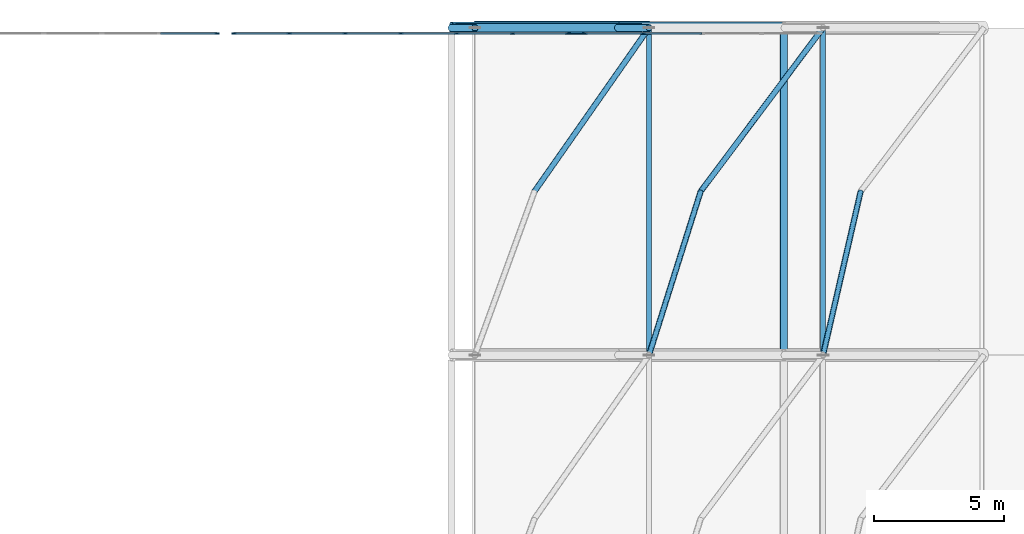
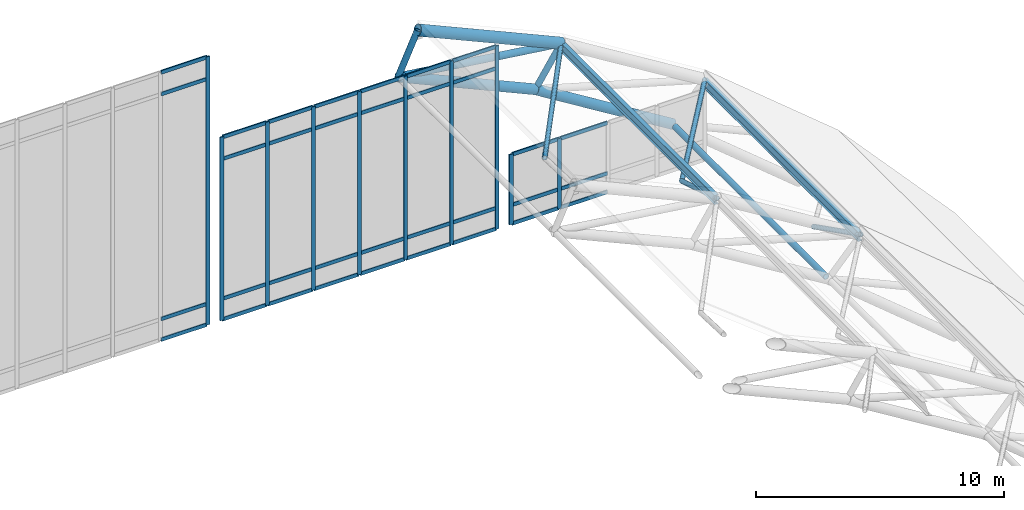
# One storey, part 21 of 42: 57 members, 3 elements without a shape of their own.
"""IFC4 building model written with IfcOpenShell, lengths in metres."""

from ifc_helpers import new_model, si_unit, derived_unit, direction, frame, origin, origin_2d, place, context, subcontext, project, spatial, rectangle, hollow_circle, i_section, extrude, material, layer, layer_set, material_profile, profile_set, type_object, element, aggregate, save


model = new_model("IFC4")

# Units and contexts
model_context = context("Model", 3, precision=1e-05, world=origin(), true_north=direction((0.0, 1.0)))
body_context = subcontext(model_context, "Body", "Model", "MODEL_VIEW")
ifc_project = project(units=[si_unit("LENGTHUNIT", "METRE"), si_unit("AREAUNIT", "SQUARE_METRE"), si_unit("VOLUMEUNIT", "CUBIC_METRE"), si_unit("PLANEANGLEUNIT", "RADIAN"), si_unit("MASSUNIT", "GRAM", prefix="KILO"), derived_unit("THERMALTRANSMITTANCEUNIT", [(si_unit("MASSUNIT", "GRAM", prefix="KILO"), 1), (si_unit("TIMEUNIT", "SECOND"), -3), (si_unit("THERMODYNAMICTEMPERATUREUNIT", "KELVIN"), -1)])], contexts=[model_context])

# Site, building, storey
site_placement = place(None, origin())
site = spatial("IfcSite", under=ifc_project, at=site_placement, CompositionType="ELEMENT")
building_placement = place(site_placement, origin())
building = spatial("IfcBuilding", under=site, at=building_placement, Name="Valcora Ridge Arena", CompositionType="ELEMENT")
storey_placement = place(building_placement, frame((0.0, 0.0, 26.39990234375)))
storey = spatial("IfcBuildingStorey", under=building, at=storey_placement, Name="L05", CompositionType="ELEMENT", Elevation=26.39990234375)

# Curtain wall, member
ifc_material_1 = material(Name="Anodised dark bronze architectural aluminium 6063-T6", Category="aluminium")
ifc_layer_1 = layer(ifc_material_1, 0.179931640625, Name="Anodised dark bronze architectural aluminium 6063-T6")
ifc_layer_set_1 = layer_set([ifc_layer_1], Name="Anodised dark bronze architectural aluminium 6063-T6")
curtain_wall_type_1 = type_object("IfcCurtainWallType", Name="TY-CURTAINWALL-CW-V1-TYMPN-134X132", PredefinedType="NOTDEFINED", material=ifc_layer_set_1)
curtain_wall_1_placement = place(storey_placement, origin())
curtain_wall_1 = element("IfcCurtainWall", 1, at=curtain_wall_1_placement, inside=storey, type_object=curtain_wall_type_1, Name="CW-V1-TYMPN-134X132 CW-0175", PredefinedType="NOTDEFINED")
ifc_material_profile_1 = material_profile(ifc_material_1, rectangle(XDim=0.06005859375, YDim=0.179931640625, at=origin_2d()), Name="ALU MULLION 60x180")
ifc_profile_set_1 = profile_set([ifc_material_profile_1], Name="Anodised dark bronze architectural aluminium 6063-T6")
member_type_1 = type_object("IfcMemberType", Name="TY-MEM-CWM-60x180", PredefinedType="MULLION", material=ifc_profile_set_1)
member_1_placement = place(storey_placement, frame((65.969970703125, 107.97998046875, 0.0), z_axis=(0.0, 0.0, 1.0), x_axis=(0.0, 1.0, 0.0)))
member_1 = element("IfcMember", 2, at=member_1_placement, type_object=member_type_1, Name="CW-0175/CWM-60x180/M06", PredefinedType="MULLION", context=body_context, shape_type="SweptSolid", body=[
    extrude(rectangle(XDim=0.06005859375, YDim=0.179931640625, at=origin_2d()), origin(), (0.0, 0.0, 1.0), 13.239990234375),
])

# Curtain wall, members
ifc_layer_2 = layer(ifc_material_1, 0.179931640625, Name="Anodised dark bronze architectural aluminium 6063-T6")
ifc_layer_set_2 = layer_set([ifc_layer_2], Name="Anodised dark bronze architectural aluminium 6063-T6")
curtain_wall_type_2 = type_object("IfcCurtainWallType", Name="TY-CURTAINWALL-CW-V1-TYMPN-129X90", PredefinedType="NOTDEFINED", material=ifc_layer_set_2)
curtain_wall_2_placement = place(storey_placement, origin())
curtain_wall_2 = element("IfcCurtainWall", 3, at=curtain_wall_2_placement, inside=storey, type_object=curtain_wall_type_2, Name="CW-V1-TYMPN-129X90 CW-0177", PredefinedType="NOTDEFINED")
member_2_placement = place(storey_placement, frame((66.6298828125, 107.97998046875, 0.0), z_axis=(0.0, 0.0, 1.0), x_axis=(0.0, 1.0, 0.0)))
member_2 = element("IfcMember", 4, at=member_2_placement, type_object=member_type_1, Name="CW-0177/CWM-60x180/M00", PredefinedType="MULLION", context=body_context, shape_type="SweptSolid", body=[
    extrude(rectangle(XDim=0.06005859375, YDim=0.179931640625, at=origin_2d()), origin(), (0.0, 0.0, 1.0), 9.04296875),
])
member_3_placement = place(storey_placement, frame((68.75, 107.97998046875, 0.0), z_axis=(0.0, 0.0, 1.0), x_axis=(0.0, 1.0, 0.0)))
member_3 = element("IfcMember", 5, at=member_3_placement, type_object=member_type_1, Name="CW-0177/CWM-60x180/M01", PredefinedType="MULLION", context=body_context, shape_type="SweptSolid", body=[
    extrude(rectangle(XDim=0.06005859375, YDim=0.179931640625, at=origin_2d()), origin(), (0.0, 0.0, 1.0), 9.04296875),
])
member_4_placement = place(storey_placement, frame((70.89990234375, 107.97998046875, 0.0), z_axis=(0.0, 0.0, 1.0), x_axis=(0.0, 1.0, 0.0)))
member_4 = element("IfcMember", 6, at=member_4_placement, type_object=member_type_1, Name="CW-0177/CWM-60x180/M02", PredefinedType="MULLION", context=body_context, shape_type="SweptSolid", body=[
    extrude(rectangle(XDim=0.06005859375, YDim=0.179931640625, at=origin_2d()), origin(), (0.0, 0.0, 1.0), 9.04296875),
])
member_5_placement = place(storey_placement, frame((73.050048828125, 107.97998046875, 0.0), z_axis=(0.0, 0.0, 1.0), x_axis=(0.0, 1.0, 0.0)))
member_5 = element("IfcMember", 7, at=member_5_placement, type_object=member_type_1, Name="CW-0177/CWM-60x180/M03", PredefinedType="MULLION", context=body_context, shape_type="SweptSolid", body=[
    extrude(rectangle(XDim=0.06005859375, YDim=0.179931640625, at=origin_2d()), origin(), (0.0, 0.0, 1.0), 9.04296875),
])
member_6_placement = place(storey_placement, frame((75.199951171875, 107.97998046875, 0.0), z_axis=(0.0, 0.0, 1.0), x_axis=(0.0, 1.0, 0.0)))
member_6 = element("IfcMember", 8, at=member_6_placement, type_object=member_type_1, Name="CW-0177/CWM-60x180/M04", PredefinedType="MULLION", context=body_context, shape_type="SweptSolid", body=[
    extrude(rectangle(XDim=0.06005859375, YDim=0.179931640625, at=origin_2d()), origin(), (0.0, 0.0, 1.0), 9.04296875),
])
member_7_placement = place(storey_placement, frame((77.35009765625, 107.97998046875, 0.0), z_axis=(0.0, 0.0, 1.0), x_axis=(0.0, 1.0, 0.0)))
member_7 = element("IfcMember", 9, at=member_7_placement, type_object=member_type_1, Name="CW-0177/CWM-60x180/M05", PredefinedType="MULLION", context=body_context, shape_type="SweptSolid", body=[
    extrude(rectangle(XDim=0.06005859375, YDim=0.179931640625, at=origin_2d()), origin(), (0.0, 0.0, 1.0), 9.04296875),
])
member_8_placement = place(storey_placement, frame((79.469970703125, 107.97998046875, 0.0), z_axis=(0.0, 0.0, 1.0), x_axis=(0.0, 1.0, 0.0)))
member_8 = element("IfcMember", 10, at=member_8_placement, type_object=member_type_1, Name="CW-0177/CWM-60x180/M06", PredefinedType="MULLION", context=body_context, shape_type="SweptSolid", body=[
    extrude(rectangle(XDim=0.06005859375, YDim=0.179931640625, at=origin_2d()), origin(), (0.0, 0.0, 1.0), 9.04296875),
])

ifc_layer_3 = layer(ifc_material_1, 0.179931640625, Name="Anodised dark bronze architectural aluminium 6063-T6")
ifc_layer_set_3 = layer_set([ifc_layer_3], Name="Anodised dark bronze architectural aluminium 6063-T6")
curtain_wall_type_3 = type_object("IfcCurtainWallType", Name="TY-CURTAINWALL-CW-V1-TYMPN-091X35", PredefinedType="NOTDEFINED", material=ifc_layer_set_3)
curtain_wall_3_placement = place(storey_placement, origin())
curtain_wall_3 = element("IfcCurtainWall", 11, at=curtain_wall_3_placement, inside=storey, type_object=curtain_wall_type_3, Name="CW-V1-TYMPN-091X35 CW-0179", PredefinedType="NOTDEFINED")
member_9_placement = place(storey_placement, frame((80.1298828125, 107.97998046875, 0.0), z_axis=(0.0, 0.0, 1.0), x_axis=(0.0, 1.0, 0.0)))
member_9 = element("IfcMember", 12, at=member_9_placement, type_object=member_type_1, Name="CW-0179/CWM-60x180/M00", PredefinedType="MULLION", context=body_context, shape_type="SweptSolid", body=[
    extrude(rectangle(XDim=0.06005859375, YDim=0.179931640625, at=origin_2d()), origin(), (0.0, 0.0, 1.0), 3.461669921875),
])
member_10_placement = place(storey_placement, frame((82.375, 107.97998046875, 0.0), z_axis=(0.0, 0.0, 1.0), x_axis=(0.0, 1.0, 0.0)))
member_10 = element("IfcMember", 13, at=member_10_placement, type_object=member_type_1, Name="CW-0179/CWM-60x180/M01", PredefinedType="MULLION", context=body_context, shape_type="SweptSolid", body=[
    extrude(rectangle(XDim=0.06005859375, YDim=0.179931640625, at=origin_2d()), origin(), (0.0, 0.0, 1.0), 3.461669921875),
])

# Member
ifc_material_profile_2 = material_profile(ifc_material_1, rectangle(XDim=0.06005859375, YDim=0.179931640625, at=origin_2d()), Name="ALU TRANSOM 60x180")
ifc_profile_set_2 = profile_set([ifc_material_profile_2], Name="Anodised dark bronze architectural aluminium 6063-T6")
member_type_2 = type_object("IfcMemberType", Name="TY-MEM-CWT-60x180", PredefinedType="USERDEFINED", material=ifc_profile_set_2)
member_11_placement = place(storey_placement, frame((63.797119140625, 107.97998046875, 0.030029296875), z_axis=(1.0, 0.0, 0.0), x_axis=(0.0, 1.0, 0.0)))
member_11 = element("IfcMember", 14, at=member_11_placement, type_object=member_type_2, Name="CW-0175/CWT-60x180/T05-00", ObjectType="TRANSOM", PredefinedType="USERDEFINED", context=body_context, shape_type="SweptSolid", body=[
    extrude(rectangle(XDim=0.06005859375, YDim=0.179931640625, at=origin_2d()), origin(), (0.0, 0.0, 1.0), 2.142822265625),
])

member_12_placement = place(storey_placement, frame((63.797119140625, 107.97998046875, 1.050048828125), z_axis=(1.0, 0.0, 0.0), x_axis=(0.0, 1.0, 0.0)))
member_12 = element("IfcMember", 15, at=member_12_placement, type_object=member_type_2, Name="CW-0175/CWT-60x180/T05-01", ObjectType="TRANSOM", PredefinedType="USERDEFINED", context=body_context, shape_type="SweptSolid", body=[
    extrude(rectangle(XDim=0.06005859375, YDim=0.179931640625, at=origin_2d()), origin(), (0.0, 0.0, 1.0), 2.142822265625),
])

member_13_placement = place(storey_placement, frame((63.797119140625, 107.97998046875, 12.139892578125), z_axis=(1.0, 0.0, 0.0), x_axis=(0.0, 1.0, 0.0)))
member_13 = element("IfcMember", 16, at=member_13_placement, type_object=member_type_2, Name="CW-0175/CWT-60x180/T05-02", ObjectType="TRANSOM", PredefinedType="USERDEFINED", context=body_context, shape_type="SweptSolid", body=[
    extrude(rectangle(XDim=0.06005859375, YDim=0.179931640625, at=origin_2d()), origin(), (0.0, 0.0, 1.0), 2.142822265625),
])

member_14_placement = place(storey_placement, frame((63.797119140625, 107.97998046875, 13.2099609375), z_axis=(1.0, 0.0, 0.0), x_axis=(0.0, 1.0, 0.0)))
member_14 = element("IfcMember", 17, at=member_14_placement, type_object=member_type_2, Name="CW-0175/CWT-60x180/T05-03", ObjectType="TRANSOM", PredefinedType="USERDEFINED", context=body_context, shape_type="SweptSolid", body=[
    extrude(rectangle(XDim=0.06005859375, YDim=0.179931640625, at=origin_2d()), origin(), (0.0, 0.0, 1.0), 2.142822265625),
])

aggregate(curtain_wall_1, [member_1, member_11, member_12, member_13, member_14])

member_15_placement = place(storey_placement, frame((66.659912109375, 107.97998046875, 0.030029296875), z_axis=(1.0, 0.0, 0.0), x_axis=(0.0, 1.0, 0.0)))
member_15 = element("IfcMember", 18, at=member_15_placement, type_object=member_type_2, Name="CW-0177/CWT-60x180/T00-00", ObjectType="TRANSOM", PredefinedType="USERDEFINED", context=body_context, shape_type="SweptSolid", body=[
    extrude(rectangle(XDim=0.06005859375, YDim=0.179931640625, at=origin_2d()), origin(), (0.0, 0.0, 1.0), 2.06005859375),
])

member_16_placement = place(storey_placement, frame((66.659912109375, 107.97998046875, 1.050048828125), z_axis=(1.0, 0.0, 0.0), x_axis=(0.0, 1.0, 0.0)))
member_16 = element("IfcMember", 19, at=member_16_placement, type_object=member_type_2, Name="CW-0177/CWT-60x180/T00-01", ObjectType="TRANSOM", PredefinedType="USERDEFINED", context=body_context, shape_type="SweptSolid", body=[
    extrude(rectangle(XDim=0.06005859375, YDim=0.179931640625, at=origin_2d()), origin(), (0.0, 0.0, 1.0), 2.06005859375),
])

member_17_placement = place(storey_placement, frame((66.659912109375, 107.97998046875, 7.94287109375), z_axis=(1.0, 0.0, 0.0), x_axis=(0.0, 1.0, 0.0)))
member_17 = element("IfcMember", 20, at=member_17_placement, type_object=member_type_2, Name="CW-0177/CWT-60x180/T00-02", ObjectType="TRANSOM", PredefinedType="USERDEFINED", context=body_context, shape_type="SweptSolid", body=[
    extrude(rectangle(XDim=0.06005859375, YDim=0.179931640625, at=origin_2d()), origin(), (0.0, 0.0, 1.0), 2.06005859375),
])

member_18_placement = place(storey_placement, frame((66.659912109375, 107.97998046875, 9.012939453125), z_axis=(1.0, 0.0, 0.0), x_axis=(0.0, 1.0, 0.0)))
member_18 = element("IfcMember", 21, at=member_18_placement, type_object=member_type_2, Name="CW-0177/CWT-60x180/T00-03", ObjectType="TRANSOM", PredefinedType="USERDEFINED", context=body_context, shape_type="SweptSolid", body=[
    extrude(rectangle(XDim=0.06005859375, YDim=0.179931640625, at=origin_2d()), origin(), (0.0, 0.0, 1.0), 2.06005859375),
])

member_19_placement = place(storey_placement, frame((68.780029296875, 107.97998046875, 0.030029296875), z_axis=(1.0, 0.0, 0.0), x_axis=(0.0, 1.0, 0.0)))
member_19 = element("IfcMember", 22, at=member_19_placement, type_object=member_type_2, Name="CW-0177/CWT-60x180/T01-00", ObjectType="TRANSOM", PredefinedType="USERDEFINED", context=body_context, shape_type="SweptSolid", body=[
    extrude(rectangle(XDim=0.06005859375, YDim=0.179931640625, at=origin_2d()), origin(), (0.0, 0.0, 1.0), 2.090087890625),
])

member_20_placement = place(storey_placement, frame((68.780029296875, 107.97998046875, 1.050048828125), z_axis=(1.0, 0.0, 0.0), x_axis=(0.0, 1.0, 0.0)))
member_20 = element("IfcMember", 23, at=member_20_placement, type_object=member_type_2, Name="CW-0177/CWT-60x180/T01-01", ObjectType="TRANSOM", PredefinedType="USERDEFINED", context=body_context, shape_type="SweptSolid", body=[
    extrude(rectangle(XDim=0.06005859375, YDim=0.179931640625, at=origin_2d()), origin(), (0.0, 0.0, 1.0), 2.090087890625),
])

member_21_placement = place(storey_placement, frame((68.780029296875, 107.97998046875, 7.94287109375), z_axis=(1.0, 0.0, 0.0), x_axis=(0.0, 1.0, 0.0)))
member_21 = element("IfcMember", 24, at=member_21_placement, type_object=member_type_2, Name="CW-0177/CWT-60x180/T01-02", ObjectType="TRANSOM", PredefinedType="USERDEFINED", context=body_context, shape_type="SweptSolid", body=[
    extrude(rectangle(XDim=0.06005859375, YDim=0.179931640625, at=origin_2d()), origin(), (0.0, 0.0, 1.0), 2.090087890625),
])

member_22_placement = place(storey_placement, frame((68.780029296875, 107.97998046875, 9.012939453125), z_axis=(1.0, 0.0, 0.0), x_axis=(0.0, 1.0, 0.0)))
member_22 = element("IfcMember", 25, at=member_22_placement, type_object=member_type_2, Name="CW-0177/CWT-60x180/T01-03", ObjectType="TRANSOM", PredefinedType="USERDEFINED", context=body_context, shape_type="SweptSolid", body=[
    extrude(rectangle(XDim=0.06005859375, YDim=0.179931640625, at=origin_2d()), origin(), (0.0, 0.0, 1.0), 2.090087890625),
])

member_23_placement = place(storey_placement, frame((70.929931640625, 107.97998046875, 0.030029296875), z_axis=(1.0, 0.0, 0.0), x_axis=(0.0, 1.0, 0.0)))
member_23 = element("IfcMember", 26, at=member_23_placement, type_object=member_type_2, Name="CW-0177/CWT-60x180/T02-00", ObjectType="TRANSOM", PredefinedType="USERDEFINED", context=body_context, shape_type="SweptSolid", body=[
    extrude(rectangle(XDim=0.06005859375, YDim=0.179931640625, at=origin_2d()), origin(), (0.0, 0.0, 1.0), 2.090087890625),
])

member_24_placement = place(storey_placement, frame((70.929931640625, 107.97998046875, 1.050048828125), z_axis=(1.0, 0.0, 0.0), x_axis=(0.0, 1.0, 0.0)))
member_24 = element("IfcMember", 27, at=member_24_placement, type_object=member_type_2, Name="CW-0177/CWT-60x180/T02-01", ObjectType="TRANSOM", PredefinedType="USERDEFINED", context=body_context, shape_type="SweptSolid", body=[
    extrude(rectangle(XDim=0.06005859375, YDim=0.179931640625, at=origin_2d()), origin(), (0.0, 0.0, 1.0), 2.090087890625),
])

member_25_placement = place(storey_placement, frame((70.929931640625, 107.97998046875, 7.94287109375), z_axis=(1.0, 0.0, 0.0), x_axis=(0.0, 1.0, 0.0)))
member_25 = element("IfcMember", 28, at=member_25_placement, type_object=member_type_2, Name="CW-0177/CWT-60x180/T02-02", ObjectType="TRANSOM", PredefinedType="USERDEFINED", context=body_context, shape_type="SweptSolid", body=[
    extrude(rectangle(XDim=0.06005859375, YDim=0.179931640625, at=origin_2d()), origin(), (0.0, 0.0, 1.0), 2.090087890625),
])

member_26_placement = place(storey_placement, frame((70.929931640625, 107.97998046875, 9.012939453125), z_axis=(1.0, 0.0, 0.0), x_axis=(0.0, 1.0, 0.0)))
member_26 = element("IfcMember", 29, at=member_26_placement, type_object=member_type_2, Name="CW-0177/CWT-60x180/T02-03", ObjectType="TRANSOM", PredefinedType="USERDEFINED", context=body_context, shape_type="SweptSolid", body=[
    extrude(rectangle(XDim=0.06005859375, YDim=0.179931640625, at=origin_2d()), origin(), (0.0, 0.0, 1.0), 2.090087890625),
])

member_27_placement = place(storey_placement, frame((73.080078125, 107.97998046875, 0.030029296875), z_axis=(1.0, 0.0, 0.0), x_axis=(0.0, 1.0, 0.0)))
member_27 = element("IfcMember", 30, at=member_27_placement, type_object=member_type_2, Name="CW-0177/CWT-60x180/T03-00", ObjectType="TRANSOM", PredefinedType="USERDEFINED", context=body_context, shape_type="SweptSolid", body=[
    extrude(rectangle(XDim=0.06005859375, YDim=0.179931640625, at=origin_2d()), origin(), (0.0, 0.0, 1.0), 2.08984375),
])

member_28_placement = place(storey_placement, frame((73.080078125, 107.97998046875, 1.050048828125), z_axis=(1.0, 0.0, 0.0), x_axis=(0.0, 1.0, 0.0)))
member_28 = element("IfcMember", 31, at=member_28_placement, type_object=member_type_2, Name="CW-0177/CWT-60x180/T03-01", ObjectType="TRANSOM", PredefinedType="USERDEFINED", context=body_context, shape_type="SweptSolid", body=[
    extrude(rectangle(XDim=0.06005859375, YDim=0.179931640625, at=origin_2d()), origin(), (0.0, 0.0, 1.0), 2.08984375),
])

member_29_placement = place(storey_placement, frame((73.080078125, 107.97998046875, 7.94287109375), z_axis=(1.0, 0.0, 0.0), x_axis=(0.0, 1.0, 0.0)))
member_29 = element("IfcMember", 32, at=member_29_placement, type_object=member_type_2, Name="CW-0177/CWT-60x180/T03-02", ObjectType="TRANSOM", PredefinedType="USERDEFINED", context=body_context, shape_type="SweptSolid", body=[
    extrude(rectangle(XDim=0.06005859375, YDim=0.179931640625, at=origin_2d()), origin(), (0.0, 0.0, 1.0), 2.08984375),
])

member_30_placement = place(storey_placement, frame((73.080078125, 107.97998046875, 9.012939453125), z_axis=(1.0, 0.0, 0.0), x_axis=(0.0, 1.0, 0.0)))
member_30 = element("IfcMember", 33, at=member_30_placement, type_object=member_type_2, Name="CW-0177/CWT-60x180/T03-03", ObjectType="TRANSOM", PredefinedType="USERDEFINED", context=body_context, shape_type="SweptSolid", body=[
    extrude(rectangle(XDim=0.06005859375, YDim=0.179931640625, at=origin_2d()), origin(), (0.0, 0.0, 1.0), 2.08984375),
])

member_31_placement = place(storey_placement, frame((75.22998046875, 107.97998046875, 0.030029296875), z_axis=(1.0, 0.0, 0.0), x_axis=(0.0, 1.0, 0.0)))
member_31 = element("IfcMember", 34, at=member_31_placement, type_object=member_type_2, Name="CW-0177/CWT-60x180/T04-00", ObjectType="TRANSOM", PredefinedType="USERDEFINED", context=body_context, shape_type="SweptSolid", body=[
    extrude(rectangle(XDim=0.06005859375, YDim=0.179931640625, at=origin_2d()), origin(), (0.0, 0.0, 1.0), 2.090087890625),
])

member_32_placement = place(storey_placement, frame((75.22998046875, 107.97998046875, 1.050048828125), z_axis=(1.0, 0.0, 0.0), x_axis=(0.0, 1.0, 0.0)))
member_32 = element("IfcMember", 35, at=member_32_placement, type_object=member_type_2, Name="CW-0177/CWT-60x180/T04-01", ObjectType="TRANSOM", PredefinedType="USERDEFINED", context=body_context, shape_type="SweptSolid", body=[
    extrude(rectangle(XDim=0.06005859375, YDim=0.179931640625, at=origin_2d()), origin(), (0.0, 0.0, 1.0), 2.090087890625),
])

member_33_placement = place(storey_placement, frame((75.22998046875, 107.97998046875, 7.94287109375), z_axis=(1.0, 0.0, 0.0), x_axis=(0.0, 1.0, 0.0)))
member_33 = element("IfcMember", 36, at=member_33_placement, type_object=member_type_2, Name="CW-0177/CWT-60x180/T04-02", ObjectType="TRANSOM", PredefinedType="USERDEFINED", context=body_context, shape_type="SweptSolid", body=[
    extrude(rectangle(XDim=0.06005859375, YDim=0.179931640625, at=origin_2d()), origin(), (0.0, 0.0, 1.0), 2.090087890625),
])

member_34_placement = place(storey_placement, frame((75.22998046875, 107.97998046875, 9.012939453125), z_axis=(1.0, 0.0, 0.0), x_axis=(0.0, 1.0, 0.0)))
member_34 = element("IfcMember", 37, at=member_34_placement, type_object=member_type_2, Name="CW-0177/CWT-60x180/T04-03", ObjectType="TRANSOM", PredefinedType="USERDEFINED", context=body_context, shape_type="SweptSolid", body=[
    extrude(rectangle(XDim=0.06005859375, YDim=0.179931640625, at=origin_2d()), origin(), (0.0, 0.0, 1.0), 2.090087890625),
])

member_35_placement = place(storey_placement, frame((77.3798828125, 107.97998046875, 0.030029296875), z_axis=(1.0, 0.0, 0.0), x_axis=(0.0, 1.0, 0.0)))
member_35 = element("IfcMember", 38, at=member_35_placement, type_object=member_type_2, Name="CW-0177/CWT-60x180/T05-00", ObjectType="TRANSOM", PredefinedType="USERDEFINED", context=body_context, shape_type="SweptSolid", body=[
    extrude(rectangle(XDim=0.06005859375, YDim=0.179931640625, at=origin_2d()), origin(), (0.0, 0.0, 1.0), 2.06005859375),
])

member_36_placement = place(storey_placement, frame((77.3798828125, 107.97998046875, 1.050048828125), z_axis=(1.0, 0.0, 0.0), x_axis=(0.0, 1.0, 0.0)))
member_36 = element("IfcMember", 39, at=member_36_placement, type_object=member_type_2, Name="CW-0177/CWT-60x180/T05-01", ObjectType="TRANSOM", PredefinedType="USERDEFINED", context=body_context, shape_type="SweptSolid", body=[
    extrude(rectangle(XDim=0.06005859375, YDim=0.179931640625, at=origin_2d()), origin(), (0.0, 0.0, 1.0), 2.06005859375),
])

member_37_placement = place(storey_placement, frame((77.3798828125, 107.97998046875, 7.94287109375), z_axis=(1.0, 0.0, 0.0), x_axis=(0.0, 1.0, 0.0)))
member_37 = element("IfcMember", 40, at=member_37_placement, type_object=member_type_2, Name="CW-0177/CWT-60x180/T05-02", ObjectType="TRANSOM", PredefinedType="USERDEFINED", context=body_context, shape_type="SweptSolid", body=[
    extrude(rectangle(XDim=0.06005859375, YDim=0.179931640625, at=origin_2d()), origin(), (0.0, 0.0, 1.0), 2.06005859375),
])

member_38_placement = place(storey_placement, frame((77.3798828125, 107.97998046875, 9.012939453125), z_axis=(1.0, 0.0, 0.0), x_axis=(0.0, 1.0, 0.0)))
member_38 = element("IfcMember", 41, at=member_38_placement, type_object=member_type_2, Name="CW-0177/CWT-60x180/T05-03", ObjectType="TRANSOM", PredefinedType="USERDEFINED", context=body_context, shape_type="SweptSolid", body=[
    extrude(rectangle(XDim=0.06005859375, YDim=0.179931640625, at=origin_2d()), origin(), (0.0, 0.0, 1.0), 2.06005859375),
])

aggregate(curtain_wall_2, [member_2, member_3, member_4, member_5, member_6, member_7, member_8, member_15, member_16, member_17, member_18, member_19, member_20, member_21, member_22, member_23, member_24, member_25, member_26, member_27, member_28, member_29, member_30, member_31, member_32, member_33, member_34, member_35, member_36, member_37, member_38])

member_39_placement = place(storey_placement, frame((80.159912109375, 107.97998046875, 0.030029296875), z_axis=(1.0, 0.0, 0.0), x_axis=(0.0, 1.0, 0.0)))
member_39 = element("IfcMember", 42, at=member_39_placement, type_object=member_type_2, Name="CW-0179/CWT-60x180/T00-00", ObjectType="TRANSOM", PredefinedType="USERDEFINED", context=body_context, shape_type="SweptSolid", body=[
    extrude(rectangle(XDim=0.06005859375, YDim=0.179931640625, at=origin_2d()), origin(), (0.0, 0.0, 1.0), 2.18505859375),
])

member_40_placement = place(storey_placement, frame((80.159912109375, 107.97998046875, 0.9501953125), z_axis=(1.0, 0.0, 0.0), x_axis=(0.0, 1.0, 0.0)))
member_40 = element("IfcMember", 43, at=member_40_placement, type_object=member_type_2, Name="CW-0179/CWT-60x180/T00-01", ObjectType="TRANSOM", PredefinedType="USERDEFINED", context=body_context, shape_type="SweptSolid", body=[
    extrude(rectangle(XDim=0.06005859375, YDim=0.179931640625, at=origin_2d()), origin(), (0.0, 0.0, 1.0), 2.18505859375),
])

member_41_placement = place(storey_placement, frame((80.159912109375, 107.97998046875, 3.431640625), z_axis=(1.0, 0.0, 0.0), x_axis=(0.0, 1.0, 0.0)))
member_41 = element("IfcMember", 44, at=member_41_placement, type_object=member_type_2, Name="CW-0179/CWT-60x180/T00-02", ObjectType="TRANSOM", PredefinedType="USERDEFINED", context=body_context, shape_type="SweptSolid", body=[
    extrude(rectangle(XDim=0.06005859375, YDim=0.179931640625, at=origin_2d()), origin(), (0.0, 0.0, 1.0), 2.18505859375),
])

member_42_placement = place(storey_placement, frame((82.405029296875, 107.97998046875, 0.030029296875), z_axis=(1.0, 0.0, 0.0), x_axis=(0.0, 1.0, 0.0)))
member_42 = element("IfcMember", 45, at=member_42_placement, type_object=member_type_2, Name="CW-0179/CWT-60x180/T01-00", ObjectType="TRANSOM", PredefinedType="USERDEFINED", context=body_context, shape_type="SweptSolid", body=[
    extrude(rectangle(XDim=0.06005859375, YDim=0.179931640625, at=origin_2d()), origin(), (0.0, 0.0, 1.0), 2.215087890625),
])

member_43_placement = place(storey_placement, frame((82.405029296875, 107.97998046875, 0.9501953125), z_axis=(1.0, 0.0, 0.0), x_axis=(0.0, 1.0, 0.0)))
member_43 = element("IfcMember", 46, at=member_43_placement, type_object=member_type_2, Name="CW-0179/CWT-60x180/T01-01", ObjectType="TRANSOM", PredefinedType="USERDEFINED", context=body_context, shape_type="SweptSolid", body=[
    extrude(rectangle(XDim=0.06005859375, YDim=0.179931640625, at=origin_2d()), origin(), (0.0, 0.0, 1.0), 2.215087890625),
])

member_44_placement = place(storey_placement, frame((82.405029296875, 107.97998046875, 3.431640625), z_axis=(1.0, 0.0, 0.0), x_axis=(0.0, 1.0, 0.0)))
member_44 = element("IfcMember", 47, at=member_44_placement, type_object=member_type_2, Name="CW-0179/CWT-60x180/T01-02", ObjectType="TRANSOM", PredefinedType="USERDEFINED", context=body_context, shape_type="SweptSolid", body=[
    extrude(rectangle(XDim=0.06005859375, YDim=0.179931640625, at=origin_2d()), origin(), (0.0, 0.0, 1.0), 2.215087890625),
])

aggregate(curtain_wall_3, [member_9, member_10, member_39, member_40, member_41, member_42, member_43, member_44])

# Members
ifc_material_2 = material(Name="Steel ASTM A572 Grade 50", Category="steel")
ifc_material_profile_3 = material_profile(ifc_material_2, i_section(OverallWidth=0.18994140625, OverallDepth=0.45703125, WebThickness=0.009033203125, FlangeThickness=0.014404296875, FilletRadius=0.014892578125, at=origin_2d()), Name="W18X50")
ifc_profile_set_3 = profile_set([ifc_material_profile_3], Name="Steel ASTM A572 Grade 50")
member_type_3 = type_object("IfcMemberType", Name="TY-MEMBER-PUR-W18X50", PredefinedType="PURLIN", material=ifc_profile_set_3)
for number, where, z_axis, x_axis, name in (
    (48, (82.60009765625, 95.64990234375, 7.81884765625), (0.0, 1.0, 0.0), (-1.0, 0.0, 0.0), "PUR-W18X50 SF-PR-PUR-W18X50-0082"),
    (49, (89.300048828125, 95.64990234375, 3.654296875), (0.0, 1.0, 0.0), (-1.0, 0.0, 0.0), "PUR-W18X50 SF-PR-PUR-W18X50-0083"),
):
    element("IfcMember", number, at=place(storey_placement, frame(where, z_axis=z_axis, x_axis=x_axis)), inside=storey, type_object=member_type_3, Name=name, PredefinedType="PURLIN", context=body_context, shape_type="SweptSolid", body=[
        extrude(i_section(OverallWidth=0.18994140625, OverallDepth=0.45703125, WebThickness=0.009033203125, FlangeThickness=0.014404296875, FilletRadius=0.014892578125, at=origin_2d()), origin(), (0.0, 0.0, 1.0), 12.5),
    ])
ifc_material_3 = material(Name="Steel ASTM A500 Grade C", Category="steel")
ifc_material_profile_4 = material_profile(ifc_material_3, hollow_circle(Radius=0.228515625, WallThickness=0.01611328125, at=origin_2d()), Name="CHS457X16")
ifc_profile_set_4 = profile_set([ifc_material_profile_4], Name="Steel ASTM A500 Grade C")
member_type_4 = type_object("IfcMemberType", Name="TY-MEMBER-SFBC-457", PredefinedType="CHORD", material=ifc_profile_set_4)
member_45_placement = place(storey_placement, frame((74.99169921875, 108.199951171875, 8.93994140625), z_axis=(0.912752630083, 0.0, -0.408512712502), x_axis=(0.0, 1.0, 0.0)))
element("IfcMember", 50, at=member_45_placement, inside=storey, type_object=member_type_4, Name="SFBC-457 Space Frame Bottom Chord", PredefinedType="CHORD", context=body_context, shape_type="SweptSolid", body=[
    extrude(hollow_circle(Radius=0.228515625, WallThickness=0.01611328125, at=origin_2d()), origin(), (0.0, 0.0, 1.0), 7.008544921875),
])
member_46_placement = place(storey_placement, frame((81.388671875, 108.199951171875, 6.076904296875), z_axis=(0.850850087791, 0.0, -0.525408534481), x_axis=(0.0, 1.0, 0.0)))
element("IfcMember", 51, at=member_46_placement, inside=storey, type_object=member_type_4, Name="SFBC-457 Space Frame Bottom Chord", PredefinedType="CHORD", context=body_context, shape_type="SweptSolid", body=[
    extrude(hollow_circle(Radius=0.228515625, WallThickness=0.01611328125, at=origin_2d()), origin(), (0.0, 0.0, 1.0), 7.518310546875),
])
ifc_material_profile_5 = material_profile(ifc_material_3, hollow_circle(Radius=0.136474609375, WallThickness=0.012451171875, at=origin_2d()), Name="CHS273X12")
ifc_profile_set_5 = profile_set([ifc_material_profile_5], Name="Steel ASTM A500 Grade C")
member_type_5 = type_object("IfcMemberType", Name="TY-MEMBER-SFBT-273", PredefinedType="STRUT", material=ifc_profile_set_5)
member_47_placement = place(storey_placement, frame((87.78564453125, 95.780029296875, 2.126708984375), z_axis=(0.0, 1.0, 0.0), x_axis=(-1.0, 0.0, 0.0)))
element("IfcMember", 52, at=member_47_placement, inside=storey, type_object=member_type_5, Name="SFBT-273 Space Frame Bottom Strut", PredefinedType="STRUT", context=body_context, shape_type="SweptSolid", body=[
    extrude(hollow_circle(Radius=0.136474609375, WallThickness=0.012451171875, at=origin_2d()), origin(), (0.0, 0.0, 1.0), 12.239990234375),
])
ifc_material_profile_6 = material_profile(ifc_material_3, hollow_circle(Radius=0.136474609375, WallThickness=0.012451171875, at=origin_2d()), Name="CHS273X12")
ifc_profile_set_6 = profile_set([ifc_material_profile_6], Name="Steel ASTM A500 Grade C")
member_type_6 = type_object("IfcMemberType", Name="TY-MEMBER-SFKP-273", PredefinedType="POST", material=ifc_profile_set_6)
member_48_placement = place(storey_placement, frame((74.99169921875, 108.199951171875, 8.93994140625), z_axis=(0.415865435042, 0.0, 0.909426159695), x_axis=(0.0, 1.0, 0.0)))
element("IfcMember", 53, at=member_48_placement, inside=storey, type_object=member_type_6, Name="SFKP-273 Space Frame King Post", PredefinedType="POST", context=body_context, shape_type="SweptSolid", body=[
    extrude(hollow_circle(Radius=0.136474609375, WallThickness=0.012451171875, at=origin_2d()), origin(), (0.0, 0.0, 1.0), 2.183837890625),
])
member_49_placement = place(storey_placement, frame((81.388671875, 108.199951171875, 6.076904296875), z_axis=(0.547701322944, 0.0, 0.836673927432), x_axis=(0.0, 1.0, 0.0)))
element("IfcMember", 54, at=member_49_placement, inside=storey, type_object=member_type_6, Name="SFKP-273 Space Frame King Post", PredefinedType="POST", context=body_context, shape_type="SweptSolid", body=[
    extrude(hollow_circle(Radius=0.136474609375, WallThickness=0.012451171875, at=origin_2d()), origin(), (0.0, 0.0, 1.0), 2.2119140625),
])
ifc_material_profile_7 = material_profile(ifc_material_3, hollow_circle(Radius=0.109619140625, WallThickness=0.010009765625, at=origin_2d()), Name="CHS219X10")
ifc_profile_set_7 = profile_set([ifc_material_profile_7], Name="Steel ASTM A500 Grade C")
member_type_7 = type_object("IfcMemberType", Name="TY-MEMBER-SFST-219", PredefinedType="STRUT", material=ifc_profile_set_7)
member_50_placement = place(storey_placement, frame((78.190185546875, 101.89990234375, 7.631103515625), z_axis=(0.573026254478, 0.818631594796, 0.038512643134), x_axis=(-0.819239377872, 0.573451690855, 0.0)))
element("IfcMember", 55, at=member_50_placement, inside=storey, type_object=member_type_7, Name="SFST-219 Space Frame Tie Strut", PredefinedType="STRUT", context=body_context, shape_type="SweptSolid", body=[
    extrude(hollow_circle(Radius=0.109619140625, WallThickness=0.010009765625, at=origin_2d()), origin(), (0.0, 0.0, 1.0), 7.69580078125),
])
member_51_placement = place(storey_placement, frame((84.587158203125, 101.89990234375, 4.253173828125), z_axis=(-0.262877910855, -0.83343182353, 0.486093200439), x_axis=(0.953684828736, -0.300807658544, 0.0)))
element("IfcMember", 56, at=member_51_placement, inside=storey, type_object=member_type_7, Name="SFST-219 Space Frame Tie Strut", PredefinedType="STRUT", context=body_context, shape_type="SweptSolid", body=[
    extrude(hollow_circle(Radius=0.109619140625, WallThickness=0.010009765625, at=origin_2d()), origin(), (0.0, 0.0, 1.0), 7.558837890625),
])
member_52_placement = place(storey_placement, frame((84.587158203125, 101.89990234375, 4.253173828125), z_axis=(0.597976417998, 0.799356685994, -0.058763016211), x_axis=(-0.800740396706, 0.599011533347, 0.0)))
element("IfcMember", 57, at=member_52_placement, inside=storey, type_object=member_type_7, Name="SFST-219 Space Frame Tie Strut", PredefinedType="STRUT", context=body_context, shape_type="SweptSolid", body=[
    extrude(hollow_circle(Radius=0.109619140625, WallThickness=0.010009765625, at=origin_2d()), origin(), (0.0, 0.0, 1.0), 7.88134765625),
])
member_53_placement = place(storey_placement, frame((90.74560546875, 101.89990234375, -0.150390625), z_axis=(-0.190959839368, -0.832212074826, 0.520535687789), x_axis=(0.974669913824, -0.223648293278, 0.0)))
element("IfcMember", 58, at=member_53_placement, inside=storey, type_object=member_type_7, Name="SFST-219 Space Frame Tie Strut", PredefinedType="STRUT", context=body_context, shape_type="SweptSolid", body=[
    extrude(hollow_circle(Radius=0.109619140625, WallThickness=0.010009765625, at=origin_2d()), origin(), (0.0, 0.0, 1.0), 7.570068359375),
])
ifc_material_profile_8 = material_profile(ifc_material_3, hollow_circle(Radius=0.25390625, WallThickness=0.01611328125, at=origin_2d()), Name="CHS508X16")
ifc_profile_set_8 = profile_set([ifc_material_profile_8], Name="Steel ASTM A500 Grade C")
member_type_8 = type_object("IfcMemberType", Name="TY-MEMBER-SFTC-508", PredefinedType="CHORD", material=ifc_profile_set_8)
member_54_placement = place(storey_placement, frame((75.89990234375, 108.199951171875, 10.926025390625), z_axis=(0.912763432327, 0.0, -0.408488575858), x_axis=(0.0, 1.0, 0.0)))
element("IfcMember", 59, at=member_54_placement, inside=storey, type_object=member_type_8, Name="SFTC-508 Space Frame Top Chord", PredefinedType="CHORD", context=body_context, shape_type="SweptSolid", body=[
    extrude(hollow_circle(Radius=0.25390625, WallThickness=0.01611328125, at=origin_2d()), origin(), (0.0, 0.0, 1.0), 7.340576171875),
])
ifc_material_profile_9 = material_profile(ifc_material_3, hollow_circle(Radius=0.161865234375, WallThickness=0.012451171875, at=origin_2d()), Name="CHS323X12")
ifc_profile_set_9 = profile_set([ifc_material_profile_9], Name="Steel ASTM A500 Grade C")
member_type_9 = type_object("IfcMemberType", Name="TY-MEMBER-SFWB-323", PredefinedType="BRACE", material=ifc_profile_set_9)
member_55_placement = place(storey_placement, frame((75.150146484375, 108.199951171875, 8.918701171875), z_axis=(0.99126352177, 0.0, -0.131896286561), x_axis=(0.0, 1.0, 0.0)))
element("IfcMember", 60, at=member_55_placement, inside=storey, type_object=member_type_9, Name="SFWB-323 Space Frame Diagonal Brace", PredefinedType="BRACE", context=body_context, shape_type="SweptSolid", body=[
    extrude(hollow_circle(Radius=0.161865234375, WallThickness=0.012451171875, at=origin_2d()), origin(), (0.0, 0.0, 1.0), 7.235595703125),
])

save(model, "model.ifc")
